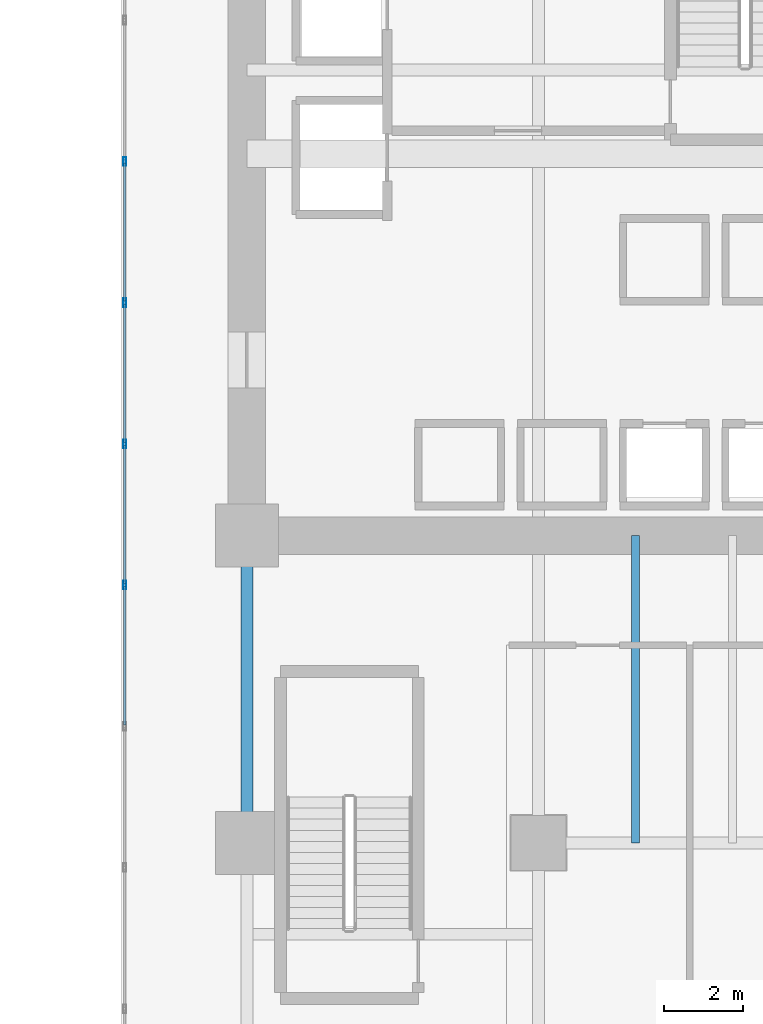
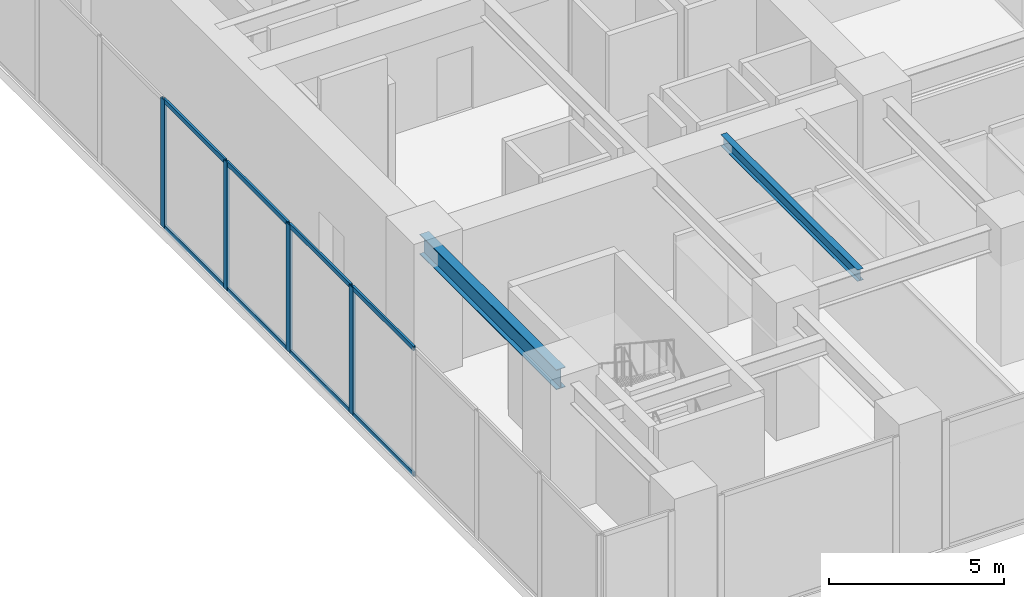
# One storey, part 9 of 33: 12 members, 2 beams, 1 element without a shape of its own.
"""IFC4 building model written with IfcOpenShell, lengths in metres."""

from ifc_helpers import new_model, si_unit, direction, frame, origin, origin_2d, place, context, subcontext, project, spatial, hollow_rectangle, i_section, extrude, source, transform, mapped, material, layer, layer_set, material_profile, profile_set, type_object, type_shapes, element, aggregate, save


model = new_model("IFC4")

# Units and contexts
model_context = context("Model", 3, precision=1e-05, world=origin(), true_north=direction((0.0, 1.0)))
body_context = subcontext(model_context, "Body", "Model", "MODEL_VIEW")
ifc_project = project(units=[si_unit("LENGTHUNIT", "METRE"), si_unit("AREAUNIT", "SQUARE_METRE"), si_unit("VOLUMEUNIT", "CUBIC_METRE"), si_unit("PLANEANGLEUNIT", "RADIAN"), si_unit("MASSUNIT", "GRAM", prefix="KILO")], contexts=[model_context])

# Site, building, storey
site_placement = place(None, origin())
site = spatial("IfcSite", under=ifc_project, at=site_placement, CompositionType="ELEMENT")
building_placement = place(site_placement, origin())
building = spatial("IfcBuilding", under=site, at=building_placement, Name="Haelvirn Gate Laboratories", CompositionType="ELEMENT")
storey_placement = place(building_placement, frame((0.0, 0.0, 10.199951171875)))
storey = spatial("IfcBuildingStorey", under=building, at=storey_placement, Name="L03", CompositionType="ELEMENT", Elevation=10.199951171875)

# Beams
ifc_material_1 = material(Name="Steel SM355", Category="steel")
ifc_material_profile_1 = material_profile(ifc_material_1, i_section(OverallWidth=0.199951171875, OverallDepth=0.39990234375, WebThickness=0.008056640625, FlangeThickness=0.012939453125, at=origin_2d()), Name="H-400x200x8x13")
ifc_profile_set_1 = profile_set([ifc_material_profile_1], Name="Steel SM355")
beam_type_1 = type_object("IfcBeamType", Name="BM-J-400", PredefinedType="JOIST", material=ifc_profile_set_1)
shared_shape_1 = source(origin(), body_context, "Body", "SweptSolid", [
    extrude(i_section(OverallWidth=0.199951171875, OverallDepth=0.39990234375, WebThickness=0.008056640625, FlangeThickness=0.012939453125, at=origin_2d()), origin(), (0.0, 0.0, 1.0), 7.800048828125),
])
type_shapes(beam_type_1, [shared_shape_1])
beam_1_placement = place(storey_placement, frame((62.469970703125, 7.0, 4.25), z_axis=(0.0, 1.0, 0.0), x_axis=(-1.0, 0.0, 0.0)))
element("IfcBeam", 1, at=beam_1_placement, inside=storey, type_object=beam_type_1, Name="L03 Composite Lab Joist South X62.47", PredefinedType="JOIST", context=body_context, shape_type="MappedRepresentation", body=[
    mapped(shared_shape_1, transform((0.0, 0.0, 0.0), scale=1.0)),
])
ifc_material_profile_2 = material_profile(ifc_material_1, i_section(OverallWidth=0.300048828125, OverallDepth=0.699951171875, WebThickness=0.012939453125, FlangeThickness=0.02392578125, at=origin_2d()), Name="H-700x300x13x24")
ifc_profile_set_2 = profile_set([ifc_material_profile_2], Name="Steel SM355")
beam_type_2 = type_object("IfcBeamType", Name="BM-G-700", PredefinedType="BEAM", material=ifc_profile_set_2)
shared_shape_2 = source(origin(), body_context, "Body", "SweptSolid", [
    extrude(i_section(OverallWidth=0.300048828125, OverallDepth=0.699951171875, WebThickness=0.012939453125, FlangeThickness=0.02392578125, at=origin_2d()), origin(), (0.0, 0.0, 1.0), 7.800048828125),
])
type_shapes(beam_type_2, [shared_shape_2])
beam_2_placement = place(storey_placement, frame((52.60009765625, 7.0, 4.10009765625), z_axis=(0.0, 1.0, 0.0), x_axis=(-1.0, 0.0, 0.0)))
element("IfcBeam", 2, at=beam_2_placement, inside=storey, type_object=beam_type_2, Name="L03 Frame Girder X52.6 (7.0-14.8)", PredefinedType="BEAM", context=body_context, shape_type="MappedRepresentation", body=[
    mapped(shared_shape_2, transform((0.0, 0.0, 0.0), scale=1.0)),
])

# Curtain wall, members
ifc_material_2 = material(Name="Anodised bronze unitised aluminium & triple low-E glass", Category="aluminium")
ifc_layer = layer(ifc_material_2, 0.18798828125, Name="CW-SYS-1")
ifc_layer_set = layer_set([ifc_layer], Name="Anodised bronze unitised aluminium & triple low-E glass")
curtain_wall_type = type_object("IfcCurtainWallType", Name="CW-SYS-1", PredefinedType="NOTDEFINED", material=ifc_layer_set)
curtain_wall_placement = place(storey_placement, origin())
curtain_wall = element("IfcCurtainWall", 3, at=curtain_wall_placement, inside=storey, type_object=curtain_wall_type, Name="L03 Unitised Curtain Wall CW-L03-P1-E07", PredefinedType="NOTDEFINED")
ifc_material_3 = material(Name="Extruded aluminium 6063-T6 (anodised bronze)", Category="aluminium")
ifc_material_profile_3 = material_profile(ifc_material_3, hollow_rectangle(XDim=0.070068359375, YDim=0.159912109375, WallThickness=0.0048828125, at=origin_2d()), Name="CWT-160x70x5")
ifc_profile_set_3 = profile_set([ifc_material_profile_3], Name="Extruded aluminium 6063-T6 (anodised bronze)")
member_type_1 = type_object("IfcMemberType", Name="CWT-T160", PredefinedType="USERDEFINED", material=ifc_profile_set_3)
shared_shape_3 = source(origin(), body_context, "Body", "SweptSolid", [
    extrude(hollow_rectangle(XDim=0.070068359375, YDim=0.159912109375, WallThickness=0.0048828125, at=origin_2d()), origin(), (0.0, 0.0, 1.0), 3.505859375),
])
member_1_placement = place(storey_placement, frame((49.5, 20.67431640625, 0.03515625), z_axis=(0.0, -1.0, 0.0), x_axis=(1.0, 0.0, 0.0)))
member_1 = element("IfcMember", 4, at=member_1_placement, type_object=member_type_1, Name="CW1 transom 9.1", ObjectType="TRANSOM", PredefinedType="USERDEFINED", context=body_context, shape_type="MappedRepresentation", body=[
    mapped(shared_shape_3, transform((0.0, 0.0, 0.0), scale=1.0)),
])
member_2_placement = place(storey_placement, frame((49.5, 20.67431640625, 4.4150390625), z_axis=(0.0, -1.0, 0.0), x_axis=(1.0, 0.0, 0.0)))
member_2 = element("IfcMember", 5, at=member_2_placement, type_object=member_type_1, Name="CW1 transom 9.2", ObjectType="TRANSOM", PredefinedType="USERDEFINED", context=body_context, shape_type="MappedRepresentation", body=[
    mapped(shared_shape_3, transform((0.0, 0.0, 0.0), scale=1.0)),
])
member_3_placement = place(storey_placement, frame((49.5, 17.088623046875, 0.03515625), z_axis=(0.0, -1.0, 0.0), x_axis=(1.0, 0.0, 0.0)))
member_3 = element("IfcMember", 6, at=member_3_placement, type_object=member_type_1, Name="CW1 transom 10.1", ObjectType="TRANSOM", PredefinedType="USERDEFINED", context=body_context, shape_type="MappedRepresentation", body=[
    mapped(shared_shape_3, transform((0.0, 0.0, 0.0), scale=1.0)),
])
member_4_placement = place(storey_placement, frame((49.5, 17.088623046875, 4.4150390625), z_axis=(0.0, -1.0, 0.0), x_axis=(1.0, 0.0, 0.0)))
member_4 = element("IfcMember", 7, at=member_4_placement, type_object=member_type_1, Name="CW1 transom 10.2", ObjectType="TRANSOM", PredefinedType="USERDEFINED", context=body_context, shape_type="MappedRepresentation", body=[
    mapped(shared_shape_3, transform((0.0, 0.0, 0.0), scale=1.0)),
])
member_5_placement = place(storey_placement, frame((49.5, 13.5029296875, 0.03515625), z_axis=(0.0, -1.0, 0.0), x_axis=(1.0, 0.0, 0.0)))
member_5 = element("IfcMember", 8, at=member_5_placement, type_object=member_type_1, Name="CW1 transom 11.1", ObjectType="TRANSOM", PredefinedType="USERDEFINED", context=body_context, shape_type="MappedRepresentation", body=[
    mapped(shared_shape_3, transform((0.0, 0.0, 0.0), scale=1.0)),
])
member_6_placement = place(storey_placement, frame((49.5, 13.5029296875, 4.4150390625), z_axis=(0.0, -1.0, 0.0), x_axis=(1.0, 0.0, 0.0)))
member_6 = element("IfcMember", 9, at=member_6_placement, type_object=member_type_1, Name="CW1 transom 11.2", ObjectType="TRANSOM", PredefinedType="USERDEFINED", context=body_context, shape_type="MappedRepresentation", body=[
    mapped(shared_shape_3, transform((0.0, 0.0, 0.0), scale=1.0)),
])
shared_shape_4 = source(origin(), body_context, "Body", "SweptSolid", [
    extrude(hollow_rectangle(XDim=0.070068359375, YDim=0.159912109375, WallThickness=0.0048828125, at=origin_2d()), origin(), (0.0, 0.0, 1.0), 3.505615234375),
])
type_shapes(member_type_1, [shared_shape_3, shared_shape_4])
member_7_placement = place(storey_placement, frame((49.5, 24.260009765625, 0.03515625), z_axis=(0.0, -1.0, 0.0), x_axis=(1.0, 0.0, 0.0)))
member_7 = element("IfcMember", 10, at=member_7_placement, type_object=member_type_1, Name="CW1 transom 8.1", ObjectType="TRANSOM", PredefinedType="USERDEFINED", context=body_context, shape_type="MappedRepresentation", body=[
    mapped(shared_shape_4, transform((0.0, 0.0, 0.0), scale=1.0)),
])
member_8_placement = place(storey_placement, frame((49.5, 24.260009765625, 4.4150390625), z_axis=(0.0, -1.0, 0.0), x_axis=(1.0, 0.0, 0.0)))
member_8 = element("IfcMember", 11, at=member_8_placement, type_object=member_type_1, Name="CW1 transom 8.2", ObjectType="TRANSOM", PredefinedType="USERDEFINED", context=body_context, shape_type="MappedRepresentation", body=[
    mapped(shared_shape_4, transform((0.0, 0.0, 0.0), scale=1.0)),
])
ifc_material_profile_4 = material_profile(ifc_material_3, hollow_rectangle(XDim=0.080078125, YDim=0.219970703125, WallThickness=0.006103515625, at=origin_2d()), Name="CWM-220x80x6")
ifc_profile_set_4 = profile_set([ifc_material_profile_4], Name="Extruded aluminium 6063-T6 (anodised bronze)")
member_type_2 = type_object("IfcMemberType", Name="CWM-T220", PredefinedType="MULLION", material=ifc_profile_set_4)
shared_shape_5 = source(origin(), body_context, "Body", "SweptSolid", [
    extrude(hollow_rectangle(XDim=0.080078125, YDim=0.219970703125, WallThickness=0.006103515625, at=origin_2d()), origin(), (0.0, 0.0, 1.0), 4.449951171875),
])
type_shapes(member_type_2, [shared_shape_5])
member_9_placement = place(storey_placement, frame((49.5, 24.300048828125, 0.0), z_axis=(0.0, 0.0, 1.0), x_axis=(1.0, 0.0, 0.0)))
member_9 = element("IfcMember", 12, at=member_9_placement, type_object=member_type_2, Name="CW1 mullion 8", PredefinedType="MULLION", context=body_context, shape_type="MappedRepresentation", body=[
    mapped(shared_shape_5, transform((0.0, 0.0, 0.0), scale=1.0)),
])
member_10_placement = place(storey_placement, frame((49.5, 20.71435546875, 0.0), z_axis=(0.0, 0.0, 1.0), x_axis=(1.0, 0.0, 0.0)))
member_10 = element("IfcMember", 13, at=member_10_placement, type_object=member_type_2, Name="CW1 mullion 9", PredefinedType="MULLION", context=body_context, shape_type="MappedRepresentation", body=[
    mapped(shared_shape_5, transform((0.0, 0.0, 0.0), scale=1.0)),
])
member_11_placement = place(storey_placement, frame((49.5, 17.128662109375, 0.0), z_axis=(0.0, 0.0, 1.0), x_axis=(1.0, 0.0, 0.0)))
member_11 = element("IfcMember", 14, at=member_11_placement, type_object=member_type_2, Name="CW1 mullion 10", PredefinedType="MULLION", context=body_context, shape_type="MappedRepresentation", body=[
    mapped(shared_shape_5, transform((0.0, 0.0, 0.0), scale=1.0)),
])
member_12_placement = place(storey_placement, frame((49.5, 13.54296875, 0.0), z_axis=(0.0, 0.0, 1.0), x_axis=(1.0, 0.0, 0.0)))
member_12 = element("IfcMember", 15, at=member_12_placement, type_object=member_type_2, Name="CW1 mullion 11", PredefinedType="MULLION", context=body_context, shape_type="MappedRepresentation", body=[
    mapped(shared_shape_5, transform((0.0, 0.0, 0.0), scale=1.0)),
])
aggregate(curtain_wall, [member_9, member_10, member_11, member_12, member_7, member_8, member_1, member_2, member_3, member_4, member_5, member_6])

save(model, "model.ifc")
